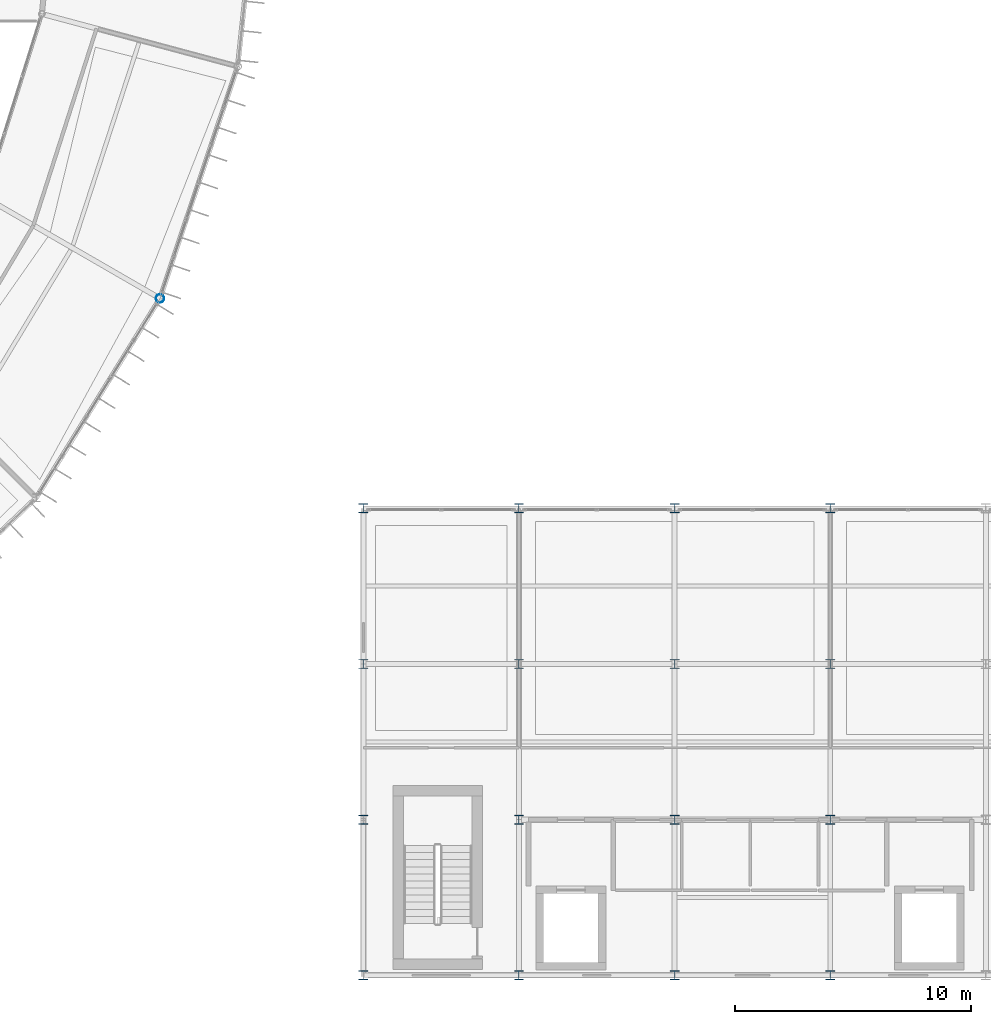
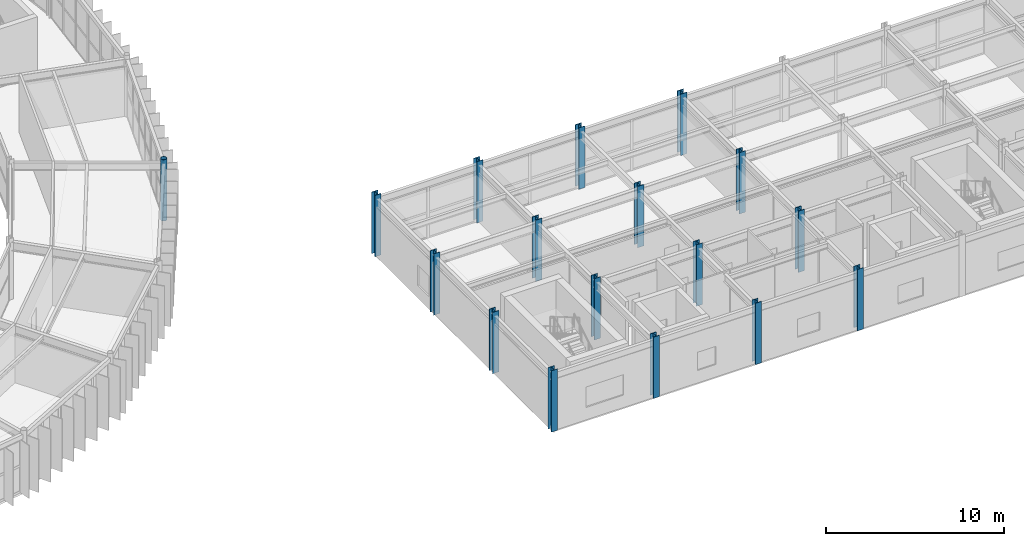
# One storey, part 8 of 147: 17 columns.
"""IFC4 building model written with IfcOpenShell, lengths in metres."""

from ifc_helpers import new_model, si_unit, direction, frame, origin, origin_2d, place, context, subcontext, project, spatial, hollow_circle, i_section, extrude, material, material_profile, profile_set, type_object, element, save


model = new_model("IFC4")

# Units and contexts
model_context = context("Model", 3, precision=1e-05, world=origin(), true_north=direction((0.0, 1.0)))
body_context = subcontext(model_context, "Body", "Model", "MODEL_VIEW")
ifc_project = project(units=[si_unit("LENGTHUNIT", "METRE"), si_unit("AREAUNIT", "SQUARE_METRE"), si_unit("VOLUMEUNIT", "CUBIC_METRE"), si_unit("PLANEANGLEUNIT", "RADIAN"), si_unit("MASSUNIT", "GRAM", prefix="KILO")], contexts=[model_context])

# Site, building, storey
site_placement = place(None, origin())
site = spatial("IfcSite", under=ifc_project, at=site_placement, CompositionType="ELEMENT")
building_placement = place(site_placement, origin())
building = spatial("IfcBuilding", under=site, at=building_placement, Name="Karori Crest Natural Sciences Institute", CompositionType="ELEMENT")
storey_placement = place(building_placement, frame((0.0, 0.0, 9.10009765625)))
storey = spatial("IfcBuildingStorey", under=building, at=storey_placement, Name="L02", CompositionType="ELEMENT", Elevation=9.10009765625)

# Columns
ifc_material_1 = material(Name="Structural steel AS/NZS 3679.1 Grade 350", Category="steel")
ifc_material_profile_1 = material_profile(ifc_material_1, i_section(OverallWidth=0.39990234375, OverallDepth=0.39990234375, WebThickness=0.02001953125, FlangeThickness=0.034912109375, FilletRadius=0.01611328125, at=origin_2d()), Name="400WC328")
ifc_profile_set_1 = profile_set([ifc_material_profile_1], Name="Structural steel AS/NZS 3679.1 Grade 350")
column_type_1 = type_object("IfcColumnType", Name="CT-02", PredefinedType="COLUMN", material=ifc_profile_set_1)
for number, where, z_axis, x_axis, name in (
    (1, (110.199951171875, 7.39990234375, 0.0), (0.0, 0.0, 1.0), (1.0, 0.0, 0.0), "Column C-1080"),
    (2, (110.199951171875, 14.0, 0.0), (0.0, 0.0, 1.0), (1.0, 0.0, 0.0), "Column C-1092"),
    (3, (116.800048828125, 7.39990234375, 0.0), (0.0, 0.0, 1.0), (1.0, 0.0, 0.0), "Column C-1128"),
    (4, (116.800048828125, 14.0, 0.0), (0.0, 0.0, 1.0), (1.0, 0.0, 0.0), "Column C-1140"),
    (5, (123.39990234375, 7.39990234375, 0.0), (0.0, 0.0, 1.0), (1.0, 0.0, 0.0), "Column C-1176"),
    (6, (123.39990234375, 14.0, 0.0), (0.0, 0.0, 1.0), (1.0, 0.0, 0.0), "Column C-1188"),
):
    element("IfcColumn", number, at=place(storey_placement, frame(where, z_axis=z_axis, x_axis=x_axis)), inside=storey, type_object=column_type_1, Name=name, PredefinedType="COLUMN", context=body_context, shape_type="SweptSolid", body=[
        extrude(i_section(OverallWidth=0.39990234375, OverallDepth=0.39990234375, WebThickness=0.02001953125, FlangeThickness=0.034912109375, FilletRadius=0.01611328125, at=origin_2d()), origin(), (0.0, 0.0, 1.0), 4.199951171875),
    ])
ifc_material_profile_2 = material_profile(ifc_material_1, i_section(OverallWidth=0.39990234375, OverallDepth=0.39990234375, WebThickness=0.02001953125, FlangeThickness=0.034912109375, FilletRadius=0.01611328125, at=origin_2d()), Name="400WC328")
ifc_profile_set_2 = profile_set([ifc_material_profile_2], Name="Structural steel AS/NZS 3679.1 Grade 350")
column_type_2 = type_object("IfcColumnType", Name="CT-02-EL", PredefinedType="COLUMN", material=ifc_profile_set_2)
for number, where, z_axis, x_axis, name in (
    (7, (103.60009765625, 0.800048828125, 0.0), (0.0, 0.0, 1.0), (1.0, 0.0, 0.0), "Column C-1020"),
    (8, (103.60009765625, 7.39990234375, 0.0), (0.0, 0.0, 1.0), (1.0, 0.0, 0.0), "Column C-1032"),
    (9, (103.60009765625, 14.0, 0.0), (0.0, 0.0, 1.0), (1.0, 0.0, 0.0), "Column C-1044"),
    (10, (103.60009765625, 20.60009765625, 0.0), (0.0, 0.0, 1.0), (1.0, 0.0, 0.0), "Column C-1056"),
    (11, (110.199951171875, 0.800048828125, 0.0), (0.0, 0.0, 1.0), (1.0, 0.0, 0.0), "Column C-1068"),
    (12, (110.199951171875, 20.60009765625, 0.0), (0.0, 0.0, 1.0), (1.0, 0.0, 0.0), "Column C-1104"),
    (13, (116.800048828125, 0.800048828125, 0.0), (0.0, 0.0, 1.0), (1.0, 0.0, 0.0), "Column C-1116"),
    (14, (116.800048828125, 20.60009765625, 0.0), (0.0, 0.0, 1.0), (1.0, 0.0, 0.0), "Column C-1152"),
    (15, (123.39990234375, 0.800048828125, 0.0), (0.0, 0.0, 1.0), (1.0, 0.0, 0.0), "Column C-1164"),
    (16, (123.39990234375, 20.60009765625, 0.0), (0.0, 0.0, 1.0), (1.0, 0.0, 0.0), "Column C-1200"),
):
    element("IfcColumn", number, at=place(storey_placement, frame(where, z_axis=z_axis, x_axis=x_axis)), inside=storey, type_object=column_type_2, Name=name, PredefinedType="COLUMN", context=body_context, shape_type="SweptSolid", body=[
        extrude(i_section(OverallWidth=0.39990234375, OverallDepth=0.39990234375, WebThickness=0.02001953125, FlangeThickness=0.034912109375, FilletRadius=0.01611328125, at=origin_2d()), origin(), (0.0, 0.0, 1.0), 4.199951171875),
    ])
ifc_material_2 = material(Name="Hollow structural steel AS/NZS 1163 Grade C350", Category="steel")
ifc_material_profile_3 = material_profile(ifc_material_2, hollow_circle(Radius=0.177734375, WallThickness=0.0126953125, at=origin_2d()), Name="CHS355.6x12.7")
ifc_profile_set_3 = profile_set([ifc_material_profile_3], Name="Hollow structural steel AS/NZS 1163 Grade C350")
column_type_3 = type_object("IfcColumnType", Name="CT-14", PredefinedType="COLUMN", material=ifc_profile_set_3)
column_placement = place(storey_placement, frame((94.978759765625, 29.5, 0.0), z_axis=(0.0, 0.0, 1.0), x_axis=(1.0, 0.0, 0.0)))
element("IfcColumn", 17, at=column_placement, inside=storey, type_object=column_type_3, Name="Column C-0367", PredefinedType="COLUMN", context=body_context, shape_type="SweptSolid", body=[
    extrude(hollow_circle(Radius=0.177734375, WallThickness=0.0126953125, at=origin_2d()), origin(), (0.0, 0.0, 1.0), 4.199951171875),
])

save(model, "model.ifc")
